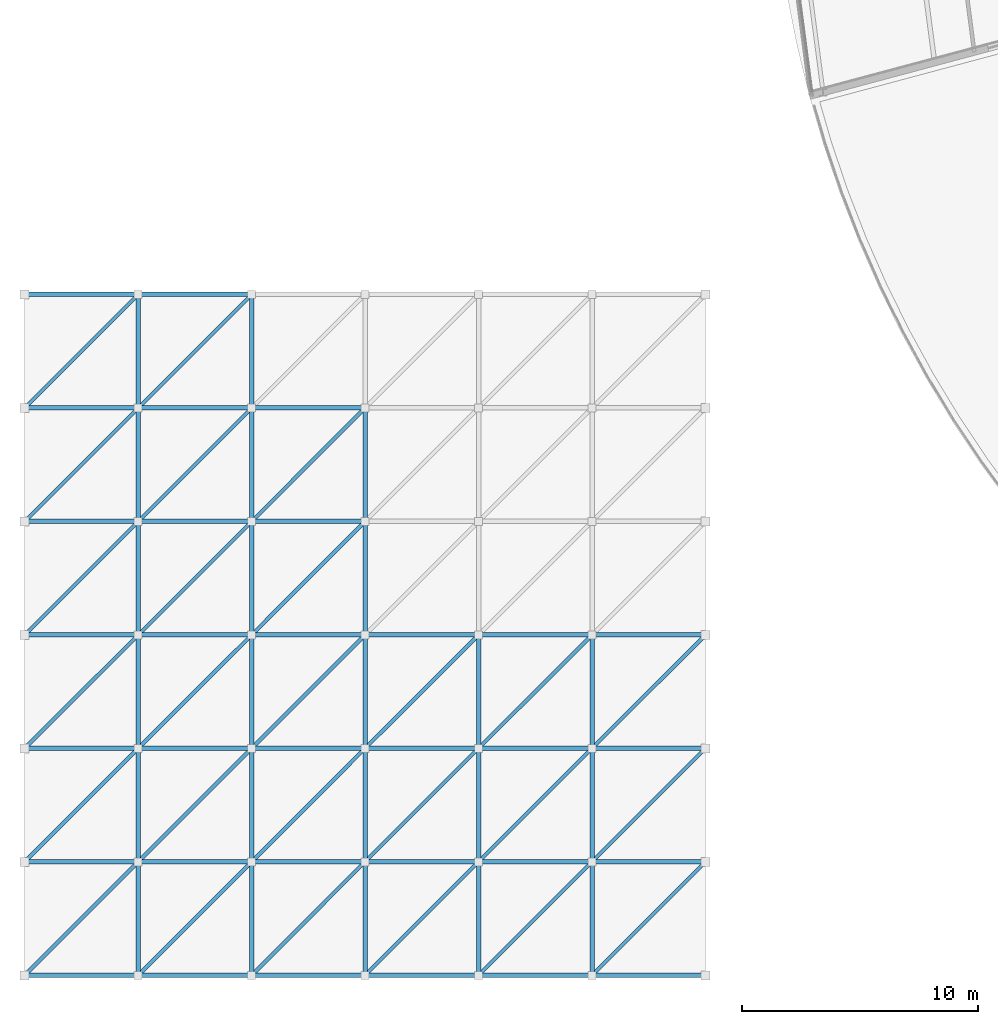
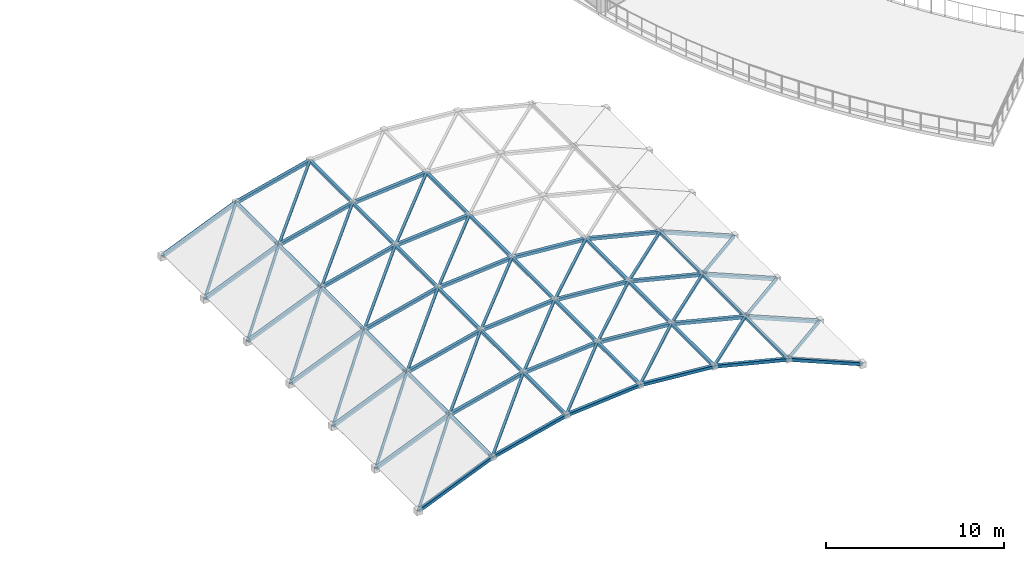
# One storey, part 16 of 116: 81 members.
"""IFC4 building model written with IfcOpenShell, lengths in metres."""

from ifc_helpers import new_model, si_unit, direction, frame, origin, origin_2d, place, context, subcontext, project, spatial, hollow_rectangle, extrude, material, material_profile, profile_set, type_object, element, save


model = new_model("IFC4")

# Units and contexts
model_context = context("Model", 3, precision=1e-05, world=origin(), true_north=direction((0.0, 1.0)))
body_context = subcontext(model_context, "Body", "Model", "MODEL_VIEW")
ifc_project = project(units=[si_unit("LENGTHUNIT", "METRE"), si_unit("AREAUNIT", "SQUARE_METRE"), si_unit("VOLUMEUNIT", "CUBIC_METRE"), si_unit("PLANEANGLEUNIT", "RADIAN"), si_unit("MASSUNIT", "GRAM", prefix="KILO")], contexts=[model_context])

# Site, building, storey
site_placement = place(None, origin())
site = spatial("IfcSite", under=ifc_project, at=site_placement, CompositionType="ELEMENT")
building_placement = place(site_placement, origin())
building = spatial("IfcBuilding", under=site, at=building_placement, Name="Almandine Court Research Institute", CompositionType="ELEMENT")
storey_placement = place(building_placement, frame((0.0, 0.0, 14.35009765625)))
storey = spatial("IfcBuildingStorey", under=building, at=storey_placement, Name="L03", CompositionType="ELEMENT", Elevation=14.35009765625)

# Members
ifc_material = material(Name="Steel ASTM A500 Grade C", Category="steel")
ifc_material_profile_1 = material_profile(ifc_material, hollow_rectangle(XDim=0.199951171875, YDim=0.199951171875, WallThickness=0.008056640625, at=origin_2d()), Name="HSS 200x200x8")
ifc_profile_set_1 = profile_set([ifc_material_profile_1], Name="Steel ASTM A500 Grade C")
member_type_1 = type_object("IfcMemberType", Name="Mem-GS-AR2", PredefinedType="CHORD", material=ifc_profile_set_1)
member_1_placement = place(storey_placement, frame((6.0, 6.0, 0.0), z_axis=(0.923078312116, 0.0, 0.384612050905), x_axis=(0.0, 1.0, 0.0)))
element("IfcMember", 1, at=member_1_placement, inside=storey, type_object=member_type_1, Name="Lecture Vaulted Gridshell Arch Rib 0-0", PredefinedType="CHORD", context=body_context, shape_type="SweptSolid", body=[
    extrude(hollow_rectangle(XDim=0.199951171875, YDim=0.199951171875, WallThickness=0.008056640625, at=origin_2d()), origin(), (0.0, 0.0, 1.0), 5.199951171875),
])
member_2_placement = place(storey_placement, frame((10.800048828125, 6.0, 2.0), z_axis=(0.970145402643, 0.0, 0.24252401475), x_axis=(0.0, 1.0, 0.0)))
element("IfcMember", 2, at=member_2_placement, inside=storey, type_object=member_type_1, Name="Lecture Vaulted Gridshell Arch Rib 0-1", PredefinedType="CHORD", context=body_context, shape_type="SweptSolid", body=[
    extrude(hollow_rectangle(XDim=0.199951171875, YDim=0.199951171875, WallThickness=0.008056640625, at=origin_2d()), origin(), (0.0, 0.0, 1.0), 4.94775390625),
])
member_3_placement = place(storey_placement, frame((15.60009765625, 6.0, 3.199951171875), z_axis=(0.996547156423, 0.0, 0.083028700011), x_axis=(0.0, 1.0, 0.0)))
element("IfcMember", 3, at=member_3_placement, inside=storey, type_object=member_type_1, Name="Lecture Vaulted Gridshell Arch Rib 0-2", PredefinedType="CHORD", context=body_context, shape_type="SweptSolid", body=[
    extrude(hollow_rectangle(XDim=0.199951171875, YDim=0.199951171875, WallThickness=0.008056640625, at=origin_2d()), origin(), (0.0, 0.0, 1.0), 4.81640625),
])
member_4_placement = place(storey_placement, frame((20.39990234375, 6.0, 3.599853515625), z_axis=(0.996547505835, 0.0, -0.083024506106), x_axis=(0.0, 1.0, 0.0)))
element("IfcMember", 4, at=member_4_placement, inside=storey, type_object=member_type_1, Name="Lecture Vaulted Gridshell Arch Rib 0-3", PredefinedType="CHORD", context=body_context, shape_type="SweptSolid", body=[
    extrude(hollow_rectangle(XDim=0.199951171875, YDim=0.199951171875, WallThickness=0.008056640625, at=origin_2d()), origin(), (0.0, 0.0, 1.0), 4.816650390625),
])
member_5_placement = place(storey_placement, frame((25.199951171875, 6.0, 3.199951171875), z_axis=(0.970145402643, 0.0, -0.24252401475), x_axis=(0.0, 1.0, 0.0)))
element("IfcMember", 5, at=member_5_placement, inside=storey, type_object=member_type_1, Name="Lecture Vaulted Gridshell Arch Rib 0-4", PredefinedType="CHORD", context=body_context, shape_type="SweptSolid", body=[
    extrude(hollow_rectangle(XDim=0.199951171875, YDim=0.199951171875, WallThickness=0.008056640625, at=origin_2d()), origin(), (0.0, 0.0, 1.0), 4.94775390625),
])
for number, where, z_axis, x_axis, name in (
    (6, (30.0, 6.0, 2.0), (0.923078312116, 0.0, -0.384612050905), (0.0, 1.0, 0.0), "Lecture Vaulted Gridshell Arch Rib 0-5"),
    (7, (6.0, 10.800048828125, 0.0), (0.923078312116, 0.0, 0.384612050905), (0.0, 1.0, 0.0), "Lecture Vaulted Gridshell Arch Rib 1-0"),
):
    element("IfcMember", number, at=place(storey_placement, frame(where, z_axis=z_axis, x_axis=x_axis)), inside=storey, type_object=member_type_1, Name=name, PredefinedType="CHORD", context=body_context, shape_type="SweptSolid", body=[
        extrude(hollow_rectangle(XDim=0.199951171875, YDim=0.199951171875, WallThickness=0.008056640625, at=origin_2d()), origin(), (0.0, 0.0, 1.0), 5.199951171875),
    ])
member_6_placement = place(storey_placement, frame((10.800048828125, 10.800048828125, 2.0), z_axis=(0.970145402643, 0.0, 0.24252401475), x_axis=(0.0, 1.0, 0.0)))
element("IfcMember", 8, at=member_6_placement, inside=storey, type_object=member_type_1, Name="Lecture Vaulted Gridshell Arch Rib 1-1", PredefinedType="CHORD", context=body_context, shape_type="SweptSolid", body=[
    extrude(hollow_rectangle(XDim=0.199951171875, YDim=0.199951171875, WallThickness=0.008056640625, at=origin_2d()), origin(), (0.0, 0.0, 1.0), 4.94775390625),
])
member_7_placement = place(storey_placement, frame((15.60009765625, 10.800048828125, 3.199951171875), z_axis=(0.996547156423, 0.0, 0.083028700011), x_axis=(0.0, 1.0, 0.0)))
element("IfcMember", 9, at=member_7_placement, inside=storey, type_object=member_type_1, Name="Lecture Vaulted Gridshell Arch Rib 1-2", PredefinedType="CHORD", context=body_context, shape_type="SweptSolid", body=[
    extrude(hollow_rectangle(XDim=0.199951171875, YDim=0.199951171875, WallThickness=0.008056640625, at=origin_2d()), origin(), (0.0, 0.0, 1.0), 4.81640625),
])
member_8_placement = place(storey_placement, frame((20.39990234375, 10.800048828125, 3.599853515625), z_axis=(0.996547505835, 0.0, -0.083024506106), x_axis=(0.0, 1.0, 0.0)))
element("IfcMember", 10, at=member_8_placement, inside=storey, type_object=member_type_1, Name="Lecture Vaulted Gridshell Arch Rib 1-3", PredefinedType="CHORD", context=body_context, shape_type="SweptSolid", body=[
    extrude(hollow_rectangle(XDim=0.199951171875, YDim=0.199951171875, WallThickness=0.008056640625, at=origin_2d()), origin(), (0.0, 0.0, 1.0), 4.816650390625),
])
member_9_placement = place(storey_placement, frame((25.199951171875, 10.800048828125, 3.199951171875), z_axis=(0.970145402643, 0.0, -0.24252401475), x_axis=(0.0, 1.0, 0.0)))
element("IfcMember", 11, at=member_9_placement, inside=storey, type_object=member_type_1, Name="Lecture Vaulted Gridshell Arch Rib 1-4", PredefinedType="CHORD", context=body_context, shape_type="SweptSolid", body=[
    extrude(hollow_rectangle(XDim=0.199951171875, YDim=0.199951171875, WallThickness=0.008056640625, at=origin_2d()), origin(), (0.0, 0.0, 1.0), 4.94775390625),
])
for number, where, z_axis, x_axis, name in (
    (12, (30.0, 10.800048828125, 2.0), (0.923078312116, 0.0, -0.384612050905), (0.0, 1.0, 0.0), "Lecture Vaulted Gridshell Arch Rib 1-5"),
    (13, (6.0, 15.60009765625, 0.0), (0.923078312116, 0.0, 0.384612050905), (0.0, 1.0, 0.0), "Lecture Vaulted Gridshell Arch Rib 2-0"),
):
    element("IfcMember", number, at=place(storey_placement, frame(where, z_axis=z_axis, x_axis=x_axis)), inside=storey, type_object=member_type_1, Name=name, PredefinedType="CHORD", context=body_context, shape_type="SweptSolid", body=[
        extrude(hollow_rectangle(XDim=0.199951171875, YDim=0.199951171875, WallThickness=0.008056640625, at=origin_2d()), origin(), (0.0, 0.0, 1.0), 5.199951171875),
    ])
member_10_placement = place(storey_placement, frame((10.800048828125, 15.60009765625, 2.0), z_axis=(0.970145402643, 0.0, 0.24252401475), x_axis=(0.0, 1.0, 0.0)))
element("IfcMember", 14, at=member_10_placement, inside=storey, type_object=member_type_1, Name="Lecture Vaulted Gridshell Arch Rib 2-1", PredefinedType="CHORD", context=body_context, shape_type="SweptSolid", body=[
    extrude(hollow_rectangle(XDim=0.199951171875, YDim=0.199951171875, WallThickness=0.008056640625, at=origin_2d()), origin(), (0.0, 0.0, 1.0), 4.94775390625),
])
member_11_placement = place(storey_placement, frame((15.60009765625, 15.60009765625, 3.199951171875), z_axis=(0.996547156423, 0.0, 0.083028700011), x_axis=(0.0, 1.0, 0.0)))
element("IfcMember", 15, at=member_11_placement, inside=storey, type_object=member_type_1, Name="Lecture Vaulted Gridshell Arch Rib 2-2", PredefinedType="CHORD", context=body_context, shape_type="SweptSolid", body=[
    extrude(hollow_rectangle(XDim=0.199951171875, YDim=0.199951171875, WallThickness=0.008056640625, at=origin_2d()), origin(), (0.0, 0.0, 1.0), 4.81640625),
])
member_12_placement = place(storey_placement, frame((20.39990234375, 15.60009765625, 3.599853515625), z_axis=(0.996547505835, 0.0, -0.083024506106), x_axis=(0.0, 1.0, 0.0)))
element("IfcMember", 16, at=member_12_placement, inside=storey, type_object=member_type_1, Name="Lecture Vaulted Gridshell Arch Rib 2-3", PredefinedType="CHORD", context=body_context, shape_type="SweptSolid", body=[
    extrude(hollow_rectangle(XDim=0.199951171875, YDim=0.199951171875, WallThickness=0.008056640625, at=origin_2d()), origin(), (0.0, 0.0, 1.0), 4.816650390625),
])
member_13_placement = place(storey_placement, frame((25.199951171875, 15.60009765625, 3.199951171875), z_axis=(0.970145402643, 0.0, -0.24252401475), x_axis=(0.0, 1.0, 0.0)))
element("IfcMember", 17, at=member_13_placement, inside=storey, type_object=member_type_1, Name="Lecture Vaulted Gridshell Arch Rib 2-4", PredefinedType="CHORD", context=body_context, shape_type="SweptSolid", body=[
    extrude(hollow_rectangle(XDim=0.199951171875, YDim=0.199951171875, WallThickness=0.008056640625, at=origin_2d()), origin(), (0.0, 0.0, 1.0), 4.94775390625),
])
for number, where, z_axis, x_axis, name in (
    (18, (30.0, 15.60009765625, 2.0), (0.923078312116, 0.0, -0.384612050905), (0.0, 1.0, 0.0), "Lecture Vaulted Gridshell Arch Rib 2-5"),
    (19, (6.0, 20.39990234375, 0.0), (0.923078312116, 0.0, 0.384612050905), (0.0, 1.0, 0.0), "Lecture Vaulted Gridshell Arch Rib 3-0"),
):
    element("IfcMember", number, at=place(storey_placement, frame(where, z_axis=z_axis, x_axis=x_axis)), inside=storey, type_object=member_type_1, Name=name, PredefinedType="CHORD", context=body_context, shape_type="SweptSolid", body=[
        extrude(hollow_rectangle(XDim=0.199951171875, YDim=0.199951171875, WallThickness=0.008056640625, at=origin_2d()), origin(), (0.0, 0.0, 1.0), 5.199951171875),
    ])
member_14_placement = place(storey_placement, frame((10.800048828125, 20.39990234375, 2.0), z_axis=(0.970145402643, 0.0, 0.24252401475), x_axis=(0.0, 1.0, 0.0)))
element("IfcMember", 20, at=member_14_placement, inside=storey, type_object=member_type_1, Name="Lecture Vaulted Gridshell Arch Rib 3-1", PredefinedType="CHORD", context=body_context, shape_type="SweptSolid", body=[
    extrude(hollow_rectangle(XDim=0.199951171875, YDim=0.199951171875, WallThickness=0.008056640625, at=origin_2d()), origin(), (0.0, 0.0, 1.0), 4.94775390625),
])
member_15_placement = place(storey_placement, frame((15.60009765625, 20.39990234375, 3.199951171875), z_axis=(0.996547156423, 0.0, 0.083028700011), x_axis=(0.0, 1.0, 0.0)))
element("IfcMember", 21, at=member_15_placement, inside=storey, type_object=member_type_1, Name="Lecture Vaulted Gridshell Arch Rib 3-2", PredefinedType="CHORD", context=body_context, shape_type="SweptSolid", body=[
    extrude(hollow_rectangle(XDim=0.199951171875, YDim=0.199951171875, WallThickness=0.008056640625, at=origin_2d()), origin(), (0.0, 0.0, 1.0), 4.81640625),
])
member_16_placement = place(storey_placement, frame((20.39990234375, 20.39990234375, 3.599853515625), z_axis=(0.996547505835, 0.0, -0.083024506106), x_axis=(0.0, 1.0, 0.0)))
element("IfcMember", 22, at=member_16_placement, inside=storey, type_object=member_type_1, Name="Lecture Vaulted Gridshell Arch Rib 3-3", PredefinedType="CHORD", context=body_context, shape_type="SweptSolid", body=[
    extrude(hollow_rectangle(XDim=0.199951171875, YDim=0.199951171875, WallThickness=0.008056640625, at=origin_2d()), origin(), (0.0, 0.0, 1.0), 4.816650390625),
])
member_17_placement = place(storey_placement, frame((25.199951171875, 20.39990234375, 3.199951171875), z_axis=(0.970145402643, 0.0, -0.24252401475), x_axis=(0.0, 1.0, 0.0)))
element("IfcMember", 23, at=member_17_placement, inside=storey, type_object=member_type_1, Name="Lecture Vaulted Gridshell Arch Rib 3-4", PredefinedType="CHORD", context=body_context, shape_type="SweptSolid", body=[
    extrude(hollow_rectangle(XDim=0.199951171875, YDim=0.199951171875, WallThickness=0.008056640625, at=origin_2d()), origin(), (0.0, 0.0, 1.0), 4.94775390625),
])
for number, where, z_axis, x_axis, name in (
    (24, (30.0, 20.39990234375, 2.0), (0.923078312116, 0.0, -0.384612050905), (0.0, 1.0, 0.0), "Lecture Vaulted Gridshell Arch Rib 3-5"),
    (25, (6.0, 25.199951171875, 0.0), (0.923078312116, 0.0, 0.384612050905), (0.0, 1.0, 0.0), "Lecture Vaulted Gridshell Arch Rib 4-0"),
):
    element("IfcMember", number, at=place(storey_placement, frame(where, z_axis=z_axis, x_axis=x_axis)), inside=storey, type_object=member_type_1, Name=name, PredefinedType="CHORD", context=body_context, shape_type="SweptSolid", body=[
        extrude(hollow_rectangle(XDim=0.199951171875, YDim=0.199951171875, WallThickness=0.008056640625, at=origin_2d()), origin(), (0.0, 0.0, 1.0), 5.199951171875),
    ])
member_18_placement = place(storey_placement, frame((10.800048828125, 25.199951171875, 2.0), z_axis=(0.970145402643, 0.0, 0.24252401475), x_axis=(0.0, 1.0, 0.0)))
element("IfcMember", 26, at=member_18_placement, inside=storey, type_object=member_type_1, Name="Lecture Vaulted Gridshell Arch Rib 4-1", PredefinedType="CHORD", context=body_context, shape_type="SweptSolid", body=[
    extrude(hollow_rectangle(XDim=0.199951171875, YDim=0.199951171875, WallThickness=0.008056640625, at=origin_2d()), origin(), (0.0, 0.0, 1.0), 4.94775390625),
])
member_19_placement = place(storey_placement, frame((15.60009765625, 25.199951171875, 3.199951171875), z_axis=(0.996547156423, 0.0, 0.083028700011), x_axis=(0.0, 1.0, 0.0)))
element("IfcMember", 27, at=member_19_placement, inside=storey, type_object=member_type_1, Name="Lecture Vaulted Gridshell Arch Rib 4-2", PredefinedType="CHORD", context=body_context, shape_type="SweptSolid", body=[
    extrude(hollow_rectangle(XDim=0.199951171875, YDim=0.199951171875, WallThickness=0.008056640625, at=origin_2d()), origin(), (0.0, 0.0, 1.0), 4.81640625),
])
member_20_placement = place(storey_placement, frame((6.0, 30.0, 0.0), z_axis=(0.923078312116, 0.0, 0.384612050905), x_axis=(0.0, 1.0, 0.0)))
element("IfcMember", 28, at=member_20_placement, inside=storey, type_object=member_type_1, Name="Lecture Vaulted Gridshell Arch Rib 5-0", PredefinedType="CHORD", context=body_context, shape_type="SweptSolid", body=[
    extrude(hollow_rectangle(XDim=0.199951171875, YDim=0.199951171875, WallThickness=0.008056640625, at=origin_2d()), origin(), (0.0, 0.0, 1.0), 5.199951171875),
])
member_21_placement = place(storey_placement, frame((10.800048828125, 30.0, 2.0), z_axis=(0.970145402643, 0.0, 0.24252401475), x_axis=(0.0, 1.0, 0.0)))
element("IfcMember", 29, at=member_21_placement, inside=storey, type_object=member_type_1, Name="Lecture Vaulted Gridshell Arch Rib 5-1", PredefinedType="CHORD", context=body_context, shape_type="SweptSolid", body=[
    extrude(hollow_rectangle(XDim=0.199951171875, YDim=0.199951171875, WallThickness=0.008056640625, at=origin_2d()), origin(), (0.0, 0.0, 1.0), 4.94775390625),
])
member_22_placement = place(storey_placement, frame((15.60009765625, 30.0, 3.199951171875), z_axis=(0.996547156423, 0.0, 0.083028700011), x_axis=(0.0, 1.0, 0.0)))
element("IfcMember", 30, at=member_22_placement, inside=storey, type_object=member_type_1, Name="Lecture Vaulted Gridshell Arch Rib 5-2", PredefinedType="CHORD", context=body_context, shape_type="SweptSolid", body=[
    extrude(hollow_rectangle(XDim=0.199951171875, YDim=0.199951171875, WallThickness=0.008056640625, at=origin_2d()), origin(), (0.0, 0.0, 1.0), 4.81640625),
])
member_23_placement = place(storey_placement, frame((6.0, 34.800048828125, 0.0), z_axis=(0.923078312116, 0.0, 0.384612050905), x_axis=(0.0, 1.0, 0.0)))
element("IfcMember", 31, at=member_23_placement, inside=storey, type_object=member_type_1, Name="Lecture Vaulted Gridshell Arch Rib 6-0", PredefinedType="CHORD", context=body_context, shape_type="SweptSolid", body=[
    extrude(hollow_rectangle(XDim=0.199951171875, YDim=0.199951171875, WallThickness=0.008056640625, at=origin_2d()), origin(), (0.0, 0.0, 1.0), 5.199951171875),
])
member_24_placement = place(storey_placement, frame((10.800048828125, 34.800048828125, 2.0), z_axis=(0.970145402643, 0.0, 0.24252401475), x_axis=(0.0, 1.0, 0.0)))
element("IfcMember", 32, at=member_24_placement, inside=storey, type_object=member_type_1, Name="Lecture Vaulted Gridshell Arch Rib 6-1", PredefinedType="CHORD", context=body_context, shape_type="SweptSolid", body=[
    extrude(hollow_rectangle(XDim=0.199951171875, YDim=0.199951171875, WallThickness=0.008056640625, at=origin_2d()), origin(), (0.0, 0.0, 1.0), 4.94775390625),
])
ifc_material_profile_2 = material_profile(ifc_material, hollow_rectangle(XDim=0.14990234375, YDim=0.14990234375, WallThickness=0.008056640625, at=origin_2d()), Name="HSS 150x150x8")
ifc_profile_set_2 = profile_set([ifc_material_profile_2], Name="Steel ASTM A500 Grade C")
member_type_2 = type_object("IfcMemberType", Name="Mem-GS-BR2", PredefinedType="BRACE", material=ifc_profile_set_2)
for number, where, z_axis, x_axis, name in (
    (33, (6.0, 6.0, 0.0), (0.678280653829, 0.678280653829, 0.282614064197), (-0.707106781187, 0.707106781187, 0.0), "Lecture Vaulted Gridshell Diagonal 0-0"),
    (34, (6.0, 10.800048828125, 0.0), (0.678280653829, 0.678280653829, 0.282614064197), (-0.707106781187, 0.707106781187, 0.0), "Lecture Vaulted Gridshell Diagonal 0-1"),
):
    element("IfcMember", number, at=place(storey_placement, frame(where, z_axis=z_axis, x_axis=x_axis)), inside=storey, type_object=member_type_2, Name=name, PredefinedType="BRACE", context=body_context, shape_type="SweptSolid", body=[
        extrude(hollow_rectangle(XDim=0.14990234375, YDim=0.14990234375, WallThickness=0.008056640625, at=origin_2d()), origin(), (0.0, 0.0, 1.0), 7.076904296875),
    ])
member_25_placement = place(storey_placement, frame((6.0, 15.60009765625, 0.0), z_axis=(0.678296525655, 0.678262026061, 0.28262067739), x_axis=(-0.707088798028, 0.707124763888, 0.0)))
element("IfcMember", 35, at=member_25_placement, inside=storey, type_object=member_type_2, Name="Lecture Vaulted Gridshell Diagonal 0-2", PredefinedType="BRACE", context=body_context, shape_type="SweptSolid", body=[
    extrude(hollow_rectangle(XDim=0.14990234375, YDim=0.14990234375, WallThickness=0.008056640625, at=origin_2d()), origin(), (0.0, 0.0, 1.0), 7.07666015625),
])
for number, where, z_axis, x_axis, name in (
    (36, (6.0, 20.39990234375, 0.0), (0.678280653829, 0.678280653829, 0.282614064197), (-0.707106781187, 0.707106781187, 0.0), "Lecture Vaulted Gridshell Diagonal 0-3"),
    (37, (6.0, 25.199951171875, 0.0), (0.678280653829, 0.678280653829, 0.282614064197), (-0.707106781187, 0.707106781187, 0.0), "Lecture Vaulted Gridshell Diagonal 0-4"),
    (38, (6.0, 30.0, 0.0), (0.678280653829, 0.678280653829, 0.282614064197), (-0.707106781187, 0.707106781187, 0.0), "Lecture Vaulted Gridshell Diagonal 0-5"),
):
    element("IfcMember", number, at=place(storey_placement, frame(where, z_axis=z_axis, x_axis=x_axis)), inside=storey, type_object=member_type_2, Name=name, PredefinedType="BRACE", context=body_context, shape_type="SweptSolid", body=[
        extrude(hollow_rectangle(XDim=0.14990234375, YDim=0.14990234375, WallThickness=0.008056640625, at=origin_2d()), origin(), (0.0, 0.0, 1.0), 7.076904296875),
    ])
for number, where, z_axis, x_axis, name in (
    (39, (10.800048828125, 6.0, 2.0), (0.696311697005, 0.696311697005, 0.17406907028), (-0.707106781187, 0.707106781187, 0.0), "Lecture Vaulted Gridshell Diagonal 1-0"),
    (40, (10.800048828125, 10.800048828125, 2.0), (0.696311697005, 0.696311697005, 0.17406907028), (-0.707106781187, 0.707106781187, 0.0), "Lecture Vaulted Gridshell Diagonal 1-1"),
):
    element("IfcMember", number, at=place(storey_placement, frame(where, z_axis=z_axis, x_axis=x_axis)), inside=storey, type_object=member_type_2, Name=name, PredefinedType="BRACE", context=body_context, shape_type="SweptSolid", body=[
        extrude(hollow_rectangle(XDim=0.14990234375, YDim=0.14990234375, WallThickness=0.008056640625, at=origin_2d()), origin(), (0.0, 0.0, 1.0), 6.8935546875),
    ])
member_26_placement = place(storey_placement, frame((10.800048828125, 15.60009765625, 2.0), z_axis=(0.696328868594, 0.696293451837, 0.174073362959), x_axis=(-0.707088798028, 0.707124763888, 0.0)))
element("IfcMember", 41, at=member_26_placement, inside=storey, type_object=member_type_2, Name="Lecture Vaulted Gridshell Diagonal 1-2", PredefinedType="BRACE", context=body_context, shape_type="SweptSolid", body=[
    extrude(hollow_rectangle(XDim=0.14990234375, YDim=0.14990234375, WallThickness=0.008056640625, at=origin_2d()), origin(), (0.0, 0.0, 1.0), 6.893310546875),
])
for number, where, z_axis, x_axis, name in (
    (42, (10.800048828125, 20.39990234375, 2.0), (0.696311697005, 0.696311697005, 0.17406907028), (-0.707106781187, 0.707106781187, 0.0), "Lecture Vaulted Gridshell Diagonal 1-3"),
    (43, (10.800048828125, 25.199951171875, 2.0), (0.696311697005, 0.696311697005, 0.17406907028), (-0.707106781187, 0.707106781187, 0.0), "Lecture Vaulted Gridshell Diagonal 1-4"),
    (44, (10.800048828125, 30.0, 2.0), (0.696311697005, 0.696311697005, 0.17406907028), (-0.707106781187, 0.707106781187, 0.0), "Lecture Vaulted Gridshell Diagonal 1-5"),
):
    element("IfcMember", number, at=place(storey_placement, frame(where, z_axis=z_axis, x_axis=x_axis)), inside=storey, type_object=member_type_2, Name=name, PredefinedType="BRACE", context=body_context, shape_type="SweptSolid", body=[
        extrude(hollow_rectangle(XDim=0.14990234375, YDim=0.14990234375, WallThickness=0.008056640625, at=origin_2d()), origin(), (0.0, 0.0, 1.0), 6.8935546875),
    ])
for number, where, z_axis, x_axis, name in (
    (45, (15.60009765625, 6.0, 3.199951171875), (0.705864959898, 0.705900863507, 0.058810112122), (-0.707124763888, 0.707088798028, 0.0), "Lecture Vaulted Gridshell Diagonal 2-0"),
    (46, (15.60009765625, 10.800048828125, 3.199951171875), (0.705864959898, 0.705900863507, 0.058810112122), (-0.707124763888, 0.707088798028, 0.0), "Lecture Vaulted Gridshell Diagonal 2-1"),
    (47, (15.60009765625, 15.60009765625, 3.199951171875), (0.705882849839, 0.705882849839, 0.058811602647), (-0.707106781187, 0.707106781187, 0.0), "Lecture Vaulted Gridshell Diagonal 2-2"),
    (48, (15.60009765625, 20.39990234375, 3.199951171875), (0.705864959898, 0.705900863507, 0.058810112122), (-0.707124763888, 0.707088798028, 0.0), "Lecture Vaulted Gridshell Diagonal 2-3"),
    (49, (15.60009765625, 25.199951171875, 3.199951171875), (0.705864959898, 0.705900863507, 0.058810112122), (-0.707124763888, 0.707088798028, 0.0), "Lecture Vaulted Gridshell Diagonal 2-4"),
):
    element("IfcMember", number, at=place(storey_placement, frame(where, z_axis=z_axis, x_axis=x_axis)), inside=storey, type_object=member_type_2, Name=name, PredefinedType="BRACE", context=body_context, shape_type="SweptSolid", body=[
        extrude(hollow_rectangle(XDim=0.14990234375, YDim=0.14990234375, WallThickness=0.008056640625, at=origin_2d()), origin(), (0.0, 0.0, 1.0), 6.7998046875),
    ])
for number, where, z_axis, x_axis, name in (
    (50, (20.39990234375, 6.0, 3.599853515625), (0.705882974016, 0.705882974016, -0.05880862171), (-0.707106781187, 0.707106781187, 0.0), "Lecture Vaulted Gridshell Diagonal 3-0"),
    (51, (20.39990234375, 10.800048828125, 3.599853515625), (0.705882974016, 0.705882974016, -0.05880862171), (-0.707106781187, 0.707106781187, 0.0), "Lecture Vaulted Gridshell Diagonal 3-1"),
):
    element("IfcMember", number, at=place(storey_placement, frame(where, z_axis=z_axis, x_axis=x_axis)), inside=storey, type_object=member_type_2, Name=name, PredefinedType="BRACE", context=body_context, shape_type="SweptSolid", body=[
        extrude(hollow_rectangle(XDim=0.14990234375, YDim=0.14990234375, WallThickness=0.008056640625, at=origin_2d()), origin(), (0.0, 0.0, 1.0), 6.800048828125),
    ])
member_27_placement = place(storey_placement, frame((20.39990234375, 15.60009765625, 3.599853515625), z_axis=(0.705900863507, 0.705864959898, -0.058810112122), x_axis=(-0.707088798028, 0.707124763888, 0.0)))
element("IfcMember", 52, at=member_27_placement, inside=storey, type_object=member_type_2, Name="Lecture Vaulted Gridshell Diagonal 3-2", PredefinedType="BRACE", context=body_context, shape_type="SweptSolid", body=[
    extrude(hollow_rectangle(XDim=0.14990234375, YDim=0.14990234375, WallThickness=0.008056640625, at=origin_2d()), origin(), (0.0, 0.0, 1.0), 6.7998046875),
])
for number, where, z_axis, x_axis, name in (
    (53, (25.199951171875, 6.0, 3.199951171875), (0.696311697005, 0.696311697005, -0.17406907028), (-0.707106781187, 0.707106781187, 0.0), "Lecture Vaulted Gridshell Diagonal 4-0"),
    (54, (25.199951171875, 10.800048828125, 3.199951171875), (0.696311697005, 0.696311697005, -0.17406907028), (-0.707106781187, 0.707106781187, 0.0), "Lecture Vaulted Gridshell Diagonal 4-1"),
):
    element("IfcMember", number, at=place(storey_placement, frame(where, z_axis=z_axis, x_axis=x_axis)), inside=storey, type_object=member_type_2, Name=name, PredefinedType="BRACE", context=body_context, shape_type="SweptSolid", body=[
        extrude(hollow_rectangle(XDim=0.14990234375, YDim=0.14990234375, WallThickness=0.008056640625, at=origin_2d()), origin(), (0.0, 0.0, 1.0), 6.8935546875),
    ])
member_28_placement = place(storey_placement, frame((25.199951171875, 15.60009765625, 3.199951171875), z_axis=(0.696328868594, 0.696293451837, -0.174073362959), x_axis=(-0.707088798028, 0.707124763888, 0.0)))
element("IfcMember", 55, at=member_28_placement, inside=storey, type_object=member_type_2, Name="Lecture Vaulted Gridshell Diagonal 4-2", PredefinedType="BRACE", context=body_context, shape_type="SweptSolid", body=[
    extrude(hollow_rectangle(XDim=0.14990234375, YDim=0.14990234375, WallThickness=0.008056640625, at=origin_2d()), origin(), (0.0, 0.0, 1.0), 6.893310546875),
])
for number, where, z_axis, x_axis, name in (
    (56, (30.0, 6.0, 2.0), (0.678280653829, 0.678280653829, -0.282614064197), (-0.707106781187, 0.707106781187, 0.0), "Lecture Vaulted Gridshell Diagonal 5-0"),
    (57, (30.0, 10.800048828125, 2.0), (0.678280653829, 0.678280653829, -0.282614064197), (-0.707106781187, 0.707106781187, 0.0), "Lecture Vaulted Gridshell Diagonal 5-1"),
):
    element("IfcMember", number, at=place(storey_placement, frame(where, z_axis=z_axis, x_axis=x_axis)), inside=storey, type_object=member_type_2, Name=name, PredefinedType="BRACE", context=body_context, shape_type="SweptSolid", body=[
        extrude(hollow_rectangle(XDim=0.14990234375, YDim=0.14990234375, WallThickness=0.008056640625, at=origin_2d()), origin(), (0.0, 0.0, 1.0), 7.076904296875),
    ])
member_29_placement = place(storey_placement, frame((30.0, 15.60009765625, 2.0), z_axis=(0.678296525655, 0.678262026061, -0.28262067739), x_axis=(-0.707088798028, 0.707124763888, 0.0)))
element("IfcMember", 58, at=member_29_placement, inside=storey, type_object=member_type_2, Name="Lecture Vaulted Gridshell Diagonal 5-2", PredefinedType="BRACE", context=body_context, shape_type="SweptSolid", body=[
    extrude(hollow_rectangle(XDim=0.14990234375, YDim=0.14990234375, WallThickness=0.008056640625, at=origin_2d()), origin(), (0.0, 0.0, 1.0), 7.07666015625),
])
ifc_material_profile_3 = material_profile(ifc_material, hollow_rectangle(XDim=0.179931640625, YDim=0.179931640625, WallThickness=0.008056640625, at=origin_2d()), Name="HSS 180x180x8")
ifc_profile_set_3 = profile_set([ifc_material_profile_3], Name="Steel ASTM A500 Grade C")
member_type_3 = type_object("IfcMemberType", Name="Mem-GS-ST2", PredefinedType="STRUT", material=ifc_profile_set_3)
for number, where, z_axis, x_axis, name in (
    (59, (10.800048828125, 6.0, 2.0), (0.0, 1.0, 0.0), (-1.0, 0.0, 0.0), "Lecture Vaulted Gridshell Strut 1-0"),
    (60, (10.800048828125, 10.800048828125, 2.0), (0.0, 1.0, 0.0), (-1.0, 0.0, 0.0), "Lecture Vaulted Gridshell Strut 1-1"),
):
    element("IfcMember", number, at=place(storey_placement, frame(where, z_axis=z_axis, x_axis=x_axis)), inside=storey, type_object=member_type_3, Name=name, PredefinedType="STRUT", context=body_context, shape_type="SweptSolid", body=[
        extrude(hollow_rectangle(XDim=0.179931640625, YDim=0.179931640625, WallThickness=0.008056640625, at=origin_2d()), origin(), (0.0, 0.0, 1.0), 4.800048828125),
    ])
member_30_placement = place(storey_placement, frame((10.800048828125, 15.60009765625, 2.0), z_axis=(0.0, 1.0, 0.0), x_axis=(-1.0, 0.0, 0.0)))
element("IfcMember", 61, at=member_30_placement, inside=storey, type_object=member_type_3, Name="Lecture Vaulted Gridshell Strut 1-2", PredefinedType="STRUT", context=body_context, shape_type="SweptSolid", body=[
    extrude(hollow_rectangle(XDim=0.179931640625, YDim=0.179931640625, WallThickness=0.008056640625, at=origin_2d()), origin(), (0.0, 0.0, 1.0), 4.7998046875),
])
for number, where, z_axis, x_axis, name in (
    (62, (10.800048828125, 20.39990234375, 2.0), (0.0, 1.0, 0.0), (-1.0, 0.0, 0.0), "Lecture Vaulted Gridshell Strut 1-3"),
    (63, (10.800048828125, 25.199951171875, 2.0), (0.0, 1.0, 0.0), (-1.0, 0.0, 0.0), "Lecture Vaulted Gridshell Strut 1-4"),
    (64, (10.800048828125, 30.0, 2.0), (0.0, 1.0, 0.0), (-1.0, 0.0, 0.0), "Lecture Vaulted Gridshell Strut 1-5"),
    (65, (15.60009765625, 6.0, 3.199951171875), (0.0, 1.0, 0.0), (-1.0, 0.0, 0.0), "Lecture Vaulted Gridshell Strut 2-0"),
    (66, (15.60009765625, 10.800048828125, 3.199951171875), (0.0, 1.0, 0.0), (-1.0, 0.0, 0.0), "Lecture Vaulted Gridshell Strut 2-1"),
):
    element("IfcMember", number, at=place(storey_placement, frame(where, z_axis=z_axis, x_axis=x_axis)), inside=storey, type_object=member_type_3, Name=name, PredefinedType="STRUT", context=body_context, shape_type="SweptSolid", body=[
        extrude(hollow_rectangle(XDim=0.179931640625, YDim=0.179931640625, WallThickness=0.008056640625, at=origin_2d()), origin(), (0.0, 0.0, 1.0), 4.800048828125),
    ])
member_31_placement = place(storey_placement, frame((15.60009765625, 15.60009765625, 3.199951171875), z_axis=(0.0, 1.0, 0.0), x_axis=(-1.0, 0.0, 0.0)))
element("IfcMember", 67, at=member_31_placement, inside=storey, type_object=member_type_3, Name="Lecture Vaulted Gridshell Strut 2-2", PredefinedType="STRUT", context=body_context, shape_type="SweptSolid", body=[
    extrude(hollow_rectangle(XDim=0.179931640625, YDim=0.179931640625, WallThickness=0.008056640625, at=origin_2d()), origin(), (0.0, 0.0, 1.0), 4.7998046875),
])
for number, where, z_axis, x_axis, name in (
    (68, (15.60009765625, 20.39990234375, 3.199951171875), (0.0, 1.0, 0.0), (-1.0, 0.0, 0.0), "Lecture Vaulted Gridshell Strut 2-3"),
    (69, (15.60009765625, 25.199951171875, 3.199951171875), (0.0, 1.0, 0.0), (-1.0, 0.0, 0.0), "Lecture Vaulted Gridshell Strut 2-4"),
    (70, (15.60009765625, 30.0, 3.199951171875), (0.0, 1.0, 0.0), (-1.0, 0.0, 0.0), "Lecture Vaulted Gridshell Strut 2-5"),
    (71, (20.39990234375, 6.0, 3.599853515625), (0.0, 1.0, 0.0), (-1.0, 0.0, 0.0), "Lecture Vaulted Gridshell Strut 3-0"),
    (72, (20.39990234375, 10.800048828125, 3.599853515625), (0.0, 1.0, 0.0), (-1.0, 0.0, 0.0), "Lecture Vaulted Gridshell Strut 3-1"),
):
    element("IfcMember", number, at=place(storey_placement, frame(where, z_axis=z_axis, x_axis=x_axis)), inside=storey, type_object=member_type_3, Name=name, PredefinedType="STRUT", context=body_context, shape_type="SweptSolid", body=[
        extrude(hollow_rectangle(XDim=0.179931640625, YDim=0.179931640625, WallThickness=0.008056640625, at=origin_2d()), origin(), (0.0, 0.0, 1.0), 4.800048828125),
    ])
member_32_placement = place(storey_placement, frame((20.39990234375, 15.60009765625, 3.599853515625), z_axis=(0.0, 1.0, 0.0), x_axis=(-1.0, 0.0, 0.0)))
element("IfcMember", 73, at=member_32_placement, inside=storey, type_object=member_type_3, Name="Lecture Vaulted Gridshell Strut 3-2", PredefinedType="STRUT", context=body_context, shape_type="SweptSolid", body=[
    extrude(hollow_rectangle(XDim=0.179931640625, YDim=0.179931640625, WallThickness=0.008056640625, at=origin_2d()), origin(), (0.0, 0.0, 1.0), 4.7998046875),
])
for number, where, z_axis, x_axis, name in (
    (74, (20.39990234375, 20.39990234375, 3.599853515625), (0.0, 1.0, 0.0), (-1.0, 0.0, 0.0), "Lecture Vaulted Gridshell Strut 3-3"),
    (75, (20.39990234375, 25.199951171875, 3.599853515625), (0.0, 1.0, 0.0), (-1.0, 0.0, 0.0), "Lecture Vaulted Gridshell Strut 3-4"),
    (76, (25.199951171875, 6.0, 3.199951171875), (0.0, 1.0, 0.0), (-1.0, 0.0, 0.0), "Lecture Vaulted Gridshell Strut 4-0"),
    (77, (25.199951171875, 10.800048828125, 3.199951171875), (0.0, 1.0, 0.0), (-1.0, 0.0, 0.0), "Lecture Vaulted Gridshell Strut 4-1"),
):
    element("IfcMember", number, at=place(storey_placement, frame(where, z_axis=z_axis, x_axis=x_axis)), inside=storey, type_object=member_type_3, Name=name, PredefinedType="STRUT", context=body_context, shape_type="SweptSolid", body=[
        extrude(hollow_rectangle(XDim=0.179931640625, YDim=0.179931640625, WallThickness=0.008056640625, at=origin_2d()), origin(), (0.0, 0.0, 1.0), 4.800048828125),
    ])
member_33_placement = place(storey_placement, frame((25.199951171875, 15.60009765625, 3.199951171875), z_axis=(0.0, 1.0, 0.0), x_axis=(-1.0, 0.0, 0.0)))
element("IfcMember", 78, at=member_33_placement, inside=storey, type_object=member_type_3, Name="Lecture Vaulted Gridshell Strut 4-2", PredefinedType="STRUT", context=body_context, shape_type="SweptSolid", body=[
    extrude(hollow_rectangle(XDim=0.179931640625, YDim=0.179931640625, WallThickness=0.008056640625, at=origin_2d()), origin(), (0.0, 0.0, 1.0), 4.7998046875),
])
for number, where, z_axis, x_axis, name in (
    (79, (30.0, 6.0, 2.0), (0.0, 1.0, 0.0), (-1.0, 0.0, 0.0), "Lecture Vaulted Gridshell Strut 5-0"),
    (80, (30.0, 10.800048828125, 2.0), (0.0, 1.0, 0.0), (-1.0, 0.0, 0.0), "Lecture Vaulted Gridshell Strut 5-1"),
):
    element("IfcMember", number, at=place(storey_placement, frame(where, z_axis=z_axis, x_axis=x_axis)), inside=storey, type_object=member_type_3, Name=name, PredefinedType="STRUT", context=body_context, shape_type="SweptSolid", body=[
        extrude(hollow_rectangle(XDim=0.179931640625, YDim=0.179931640625, WallThickness=0.008056640625, at=origin_2d()), origin(), (0.0, 0.0, 1.0), 4.800048828125),
    ])
member_34_placement = place(storey_placement, frame((30.0, 15.60009765625, 2.0), z_axis=(0.0, 1.0, 0.0), x_axis=(-1.0, 0.0, 0.0)))
element("IfcMember", 81, at=member_34_placement, inside=storey, type_object=member_type_3, Name="Lecture Vaulted Gridshell Strut 5-2", PredefinedType="STRUT", context=body_context, shape_type="SweptSolid", body=[
    extrude(hollow_rectangle(XDim=0.179931640625, YDim=0.179931640625, WallThickness=0.008056640625, at=origin_2d()), origin(), (0.0, 0.0, 1.0), 4.7998046875),
])

save(model, "model.ifc")
